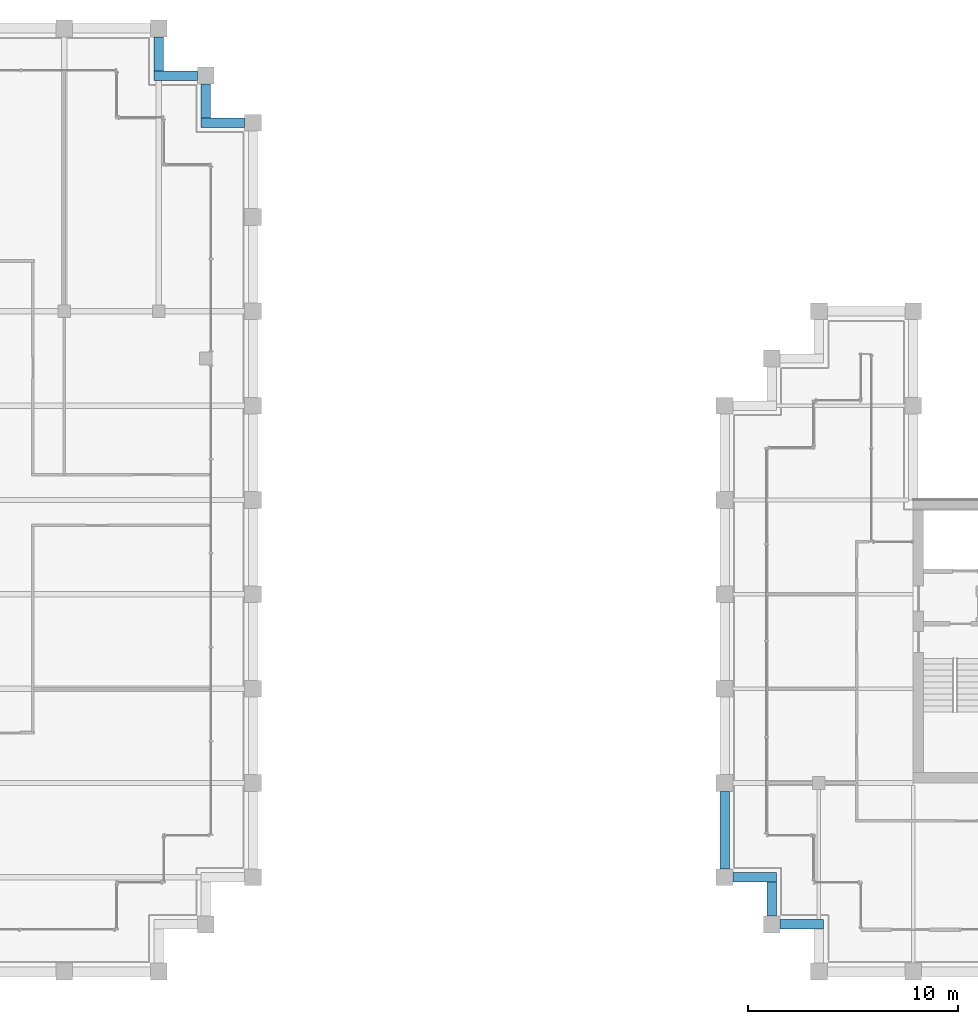
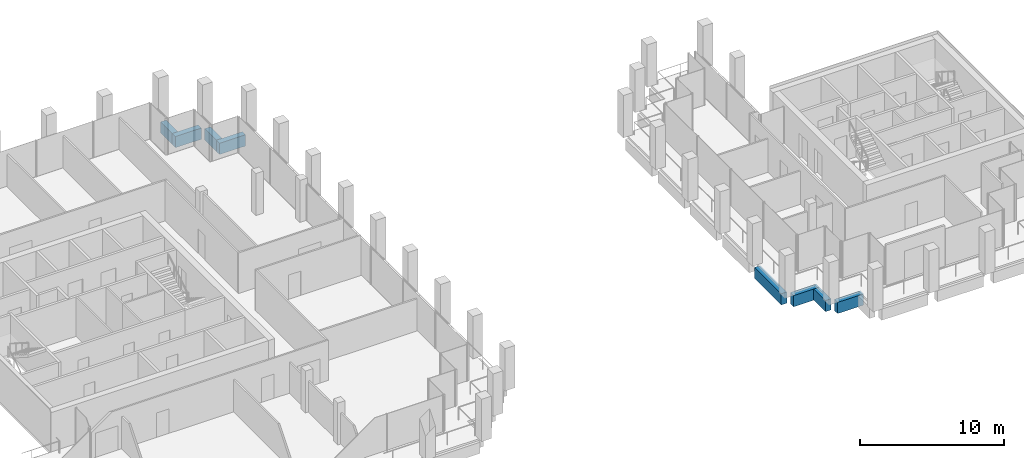
# One storey, part 27 of 40: 8 beams.
"""IFC4 building model written with IfcOpenShell, lengths in metres."""

from ifc_helpers import new_model, si_unit, direction, frame, origin, origin_2d, place, context, subcontext, project, spatial, rectangle, extrude, material, material_profile, profile_set, type_object, element, save


model = new_model("IFC4")

# Units and contexts
model_context = context("Model", 3, precision=1e-05, world=origin(), true_north=direction((0.0, 1.0)))
body_context = subcontext(model_context, "Body", "Model", "MODEL_VIEW")
ifc_project = project(units=[si_unit("LENGTHUNIT", "METRE"), si_unit("AREAUNIT", "SQUARE_METRE"), si_unit("VOLUMEUNIT", "CUBIC_METRE"), si_unit("PLANEANGLEUNIT", "RADIAN"), si_unit("MASSUNIT", "GRAM", prefix="KILO")], contexts=[model_context])

# Site, building, storey
site_placement = place(None, origin())
site = spatial("IfcSite", under=ifc_project, at=site_placement, CompositionType="ELEMENT")
building_placement = place(site_placement, origin())
building = spatial("IfcBuilding", under=site, at=building_placement, Name="Altepetl Exchange Towers", CompositionType="ELEMENT")
storey_placement = place(building_placement, frame((0.0, 0.0, 199.199951171875)))
storey = spatial("IfcBuildingStorey", under=building, at=storey_placement, Name="L50", CompositionType="ELEMENT", Elevation=199.199951171875)

# Beams
ifc_material_1 = material(Name="Concrete C50/60 precast with cantera rosa facing", Category="concrete")
ifc_material_profile_1 = material_profile(ifc_material_1, rectangle(XDim=0.449951171875, YDim=0.949951171875, at=origin_2d()), Name="450 x 950")
ifc_profile_set_1 = profile_set([ifc_material_profile_1], Name="Concrete C50/60 precast with cantera rosa facing")
beam_type_1 = type_object("IfcBeamType", Name="Spandrel beam 450x950 cantera rosa", PredefinedType="SPANDREL", material=ifc_profile_set_1)
beam_1_placement = place(storey_placement, frame((71.60009765625, 67.5, -0.625), z_axis=(-1.0, 0.0, 0.0), x_axis=(0.0, -1.0, 0.0)))
element("IfcBeam", 1, at=beam_1_placement, inside=storey, type_object=beam_type_1, Name="sp:A:L50:020", PredefinedType="SPANDREL", context=body_context, shape_type="SweptSolid", body=[
    extrude(rectangle(XDim=0.449951171875, YDim=0.949951171875, at=origin_2d()), origin(), (0.0, 0.0, 1.0), 2.0751953125),
])
beam_2_placement = place(storey_placement, frame((69.75, 67.72509765625, -0.625), z_axis=(0.0, 1.0, 0.0), x_axis=(-1.0, 0.0, 0.0)))
element("IfcBeam", 2, at=beam_2_placement, inside=storey, type_object=beam_type_1, Name="sp:A:L50:021", PredefinedType="SPANDREL", context=body_context, shape_type="SweptSolid", body=[
    extrude(rectangle(XDim=0.449951171875, YDim=0.949951171875, at=origin_2d()), origin(), (0.0, 0.0, 1.0), 1.625),
])
beam_3_placement = place(storey_placement, frame((69.35009765625, 69.75, -0.625), z_axis=(-1.0, 0.0, 0.0), x_axis=(0.0, -1.0, 0.0)))
element("IfcBeam", 3, at=beam_3_placement, inside=storey, type_object=beam_type_1, Name="sp:A:L50:022", PredefinedType="SPANDREL", context=body_context, shape_type="SweptSolid", body=[
    extrude(rectangle(XDim=0.449951171875, YDim=0.949951171875, at=origin_2d()), origin(), (0.0, 0.0, 1.0), 2.0751953125),
])
beam_4_placement = place(storey_placement, frame((67.5, 69.97509765625, -0.625), z_axis=(0.0, 1.0, 0.0), x_axis=(-1.0, 0.0, 0.0)))
element("IfcBeam", 4, at=beam_4_placement, inside=storey, type_object=beam_type_1, Name="sp:A:L50:023", PredefinedType="SPANDREL", context=body_context, shape_type="SweptSolid", body=[
    extrude(rectangle(XDim=0.449951171875, YDim=0.949951171875, at=origin_2d()), origin(), (0.0, 0.0, 1.0), 1.625),
])
ifc_material_2 = material(Name="Concrete C50/60 precast with tezontle facing", Category="concrete")
ifc_material_profile_2 = material_profile(ifc_material_2, rectangle(XDim=0.449951171875, YDim=0.949951171875, at=origin_2d()), Name="450 x 950")
ifc_profile_set_2 = profile_set([ifc_material_profile_2], Name="Concrete C50/60 precast with tezontle facing")
beam_type_2 = type_object("IfcBeamType", Name="Spandrel beam 450x950 tezontle", PredefinedType="SPANDREL", material=ifc_profile_set_2)
beam_5_placement = place(storey_placement, frame((94.5, 35.60009765625, -0.625), z_axis=(0.0, -1.0, 0.0), x_axis=(1.0, 0.0, 0.0)))
element("IfcBeam", 5, at=beam_5_placement, inside=storey, type_object=beam_type_2, Name="sp:B:L50:019", PredefinedType="SPANDREL", context=body_context, shape_type="SweptSolid", body=[
    extrude(rectangle(XDim=0.449951171875, YDim=0.949951171875, at=origin_2d()), origin(), (0.0, 0.0, 1.0), 3.7001953125),
])
beam_6_placement = place(storey_placement, frame((94.89990234375, 31.5, -0.625), z_axis=(1.0, 0.0, 0.0), x_axis=(0.0, 1.0, 0.0)))
element("IfcBeam", 6, at=beam_6_placement, inside=storey, type_object=beam_type_2, Name="sp:B:L50:020", PredefinedType="SPANDREL", context=body_context, shape_type="SweptSolid", body=[
    extrude(rectangle(XDim=0.449951171875, YDim=0.949951171875, at=origin_2d()), origin(), (0.0, 0.0, 1.0), 2.0751953125),
])
beam_7_placement = place(storey_placement, frame((96.75, 31.27490234375, -0.625), z_axis=(0.0, -1.0, 0.0), x_axis=(1.0, 0.0, 0.0)))
element("IfcBeam", 7, at=beam_7_placement, inside=storey, type_object=beam_type_2, Name="sp:B:L50:021", PredefinedType="SPANDREL", context=body_context, shape_type="SweptSolid", body=[
    extrude(rectangle(XDim=0.449951171875, YDim=0.949951171875, at=origin_2d()), origin(), (0.0, 0.0, 1.0), 1.625),
])
beam_8_placement = place(storey_placement, frame((97.14990234375, 29.25, -0.625), z_axis=(1.0, 0.0, 0.0), x_axis=(0.0, 1.0, 0.0)))
element("IfcBeam", 8, at=beam_8_placement, inside=storey, type_object=beam_type_2, Name="sp:B:L50:022", PredefinedType="SPANDREL", context=body_context, shape_type="SweptSolid", body=[
    extrude(rectangle(XDim=0.449951171875, YDim=0.949951171875, at=origin_2d()), origin(), (0.0, 0.0, 1.0), 2.0751953125),
])

save(model, "model.ifc")
